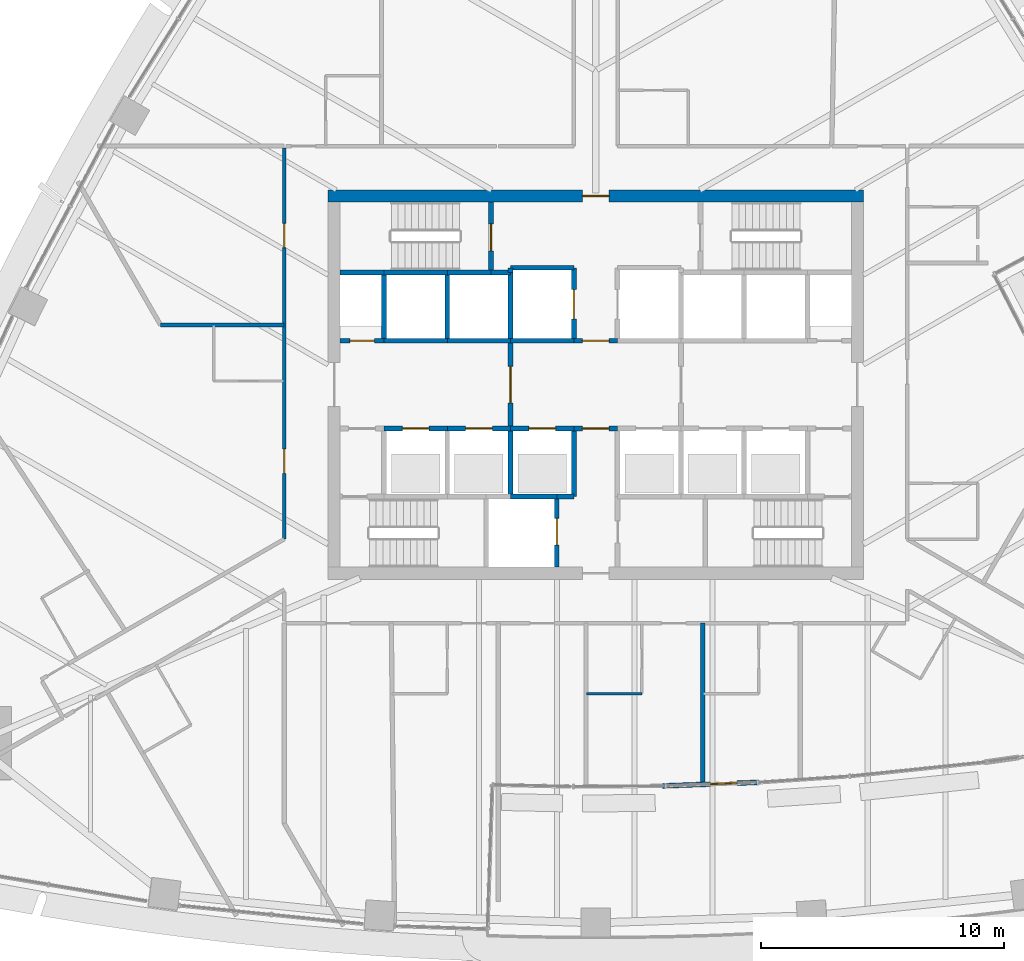
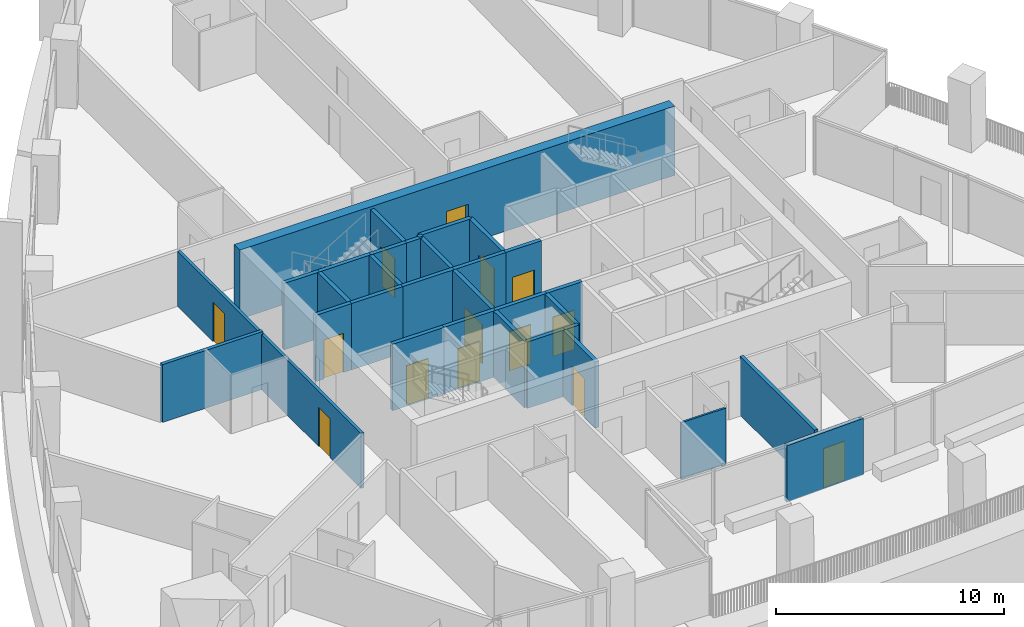
# One storey, part 12 of 22: 32 walls, 14 doors, 14 openings.
"""IFC4 building model written with IfcOpenShell, lengths in metres."""

from ifc_helpers import new_model, si_unit, direction, frame, frame_2d, origin, place, context, subcontext, project, spatial, rectangle, extrude, material, layer, layer_set, type_object, element, fill, save


model = new_model("IFC4")

# Units and contexts
model_context = context("Model", 3, precision=1e-05, world=origin(), true_north=direction((0.0, 1.0)))
body_context = subcontext(model_context, "Body", "Model", "MODEL_VIEW")
ifc_project = project(units=[si_unit("LENGTHUNIT", "METRE"), si_unit("AREAUNIT", "SQUARE_METRE"), si_unit("VOLUMEUNIT", "CUBIC_METRE"), si_unit("PLANEANGLEUNIT", "RADIAN"), si_unit("MASSUNIT", "GRAM", prefix="KILO")], contexts=[model_context])

# Site, building, storey
site_placement = place(None, origin())
site = spatial("IfcSite", under=ifc_project, at=site_placement, CompositionType="ELEMENT")
building_placement = place(site_placement, origin())
building = spatial("IfcBuilding", under=site, at=building_placement, Name="Sierra Prisma Convention Tower", CompositionType="ELEMENT")
storey_placement = place(building_placement, frame((0.0, 0.0, 103.5)))
storey = spatial("IfcBuildingStorey", under=building, at=storey_placement, Name="L22", CompositionType="ELEMENT", Elevation=103.5)

# Wall
ifc_material_1 = material(Name="Gypsum board partition", Category="gypsum")
ifc_layer_1 = layer(ifc_material_1, 0.10009765625)
ifc_layer_set_1 = layer_set([ifc_layer_1], Name="Bathroom partition 100")
wall_type_1 = type_object("IfcWallType", Name="Bathroom partition 100", PredefinedType="PARTITIONING", material=ifc_layer_set_1)
wall_1_placement = place(storey_placement, frame((1.89990234375, -12.699951171875, 0.0), z_axis=(0.0, 0.0, 1.0), x_axis=(-1.0, 0.0, 0.0)))
element("IfcWall", 1, at=wall_1_placement, inside=storey, type_object=wall_type_1, Name="Partition L22 bath 15", PredefinedType="PARTITIONING", context=body_context, shape_type="SweptSolid", body=[
    extrude(rectangle(XDim=2.27001953125, YDim=0.10009765625, at=frame_2d((1.135009765625, 0.0))), origin(), (0.0, 0.0, 1.0), 3.01708984375),
])

# Wall, opening, door
ifc_material_2 = material(Name="Concrete C30/37", Category="concrete")
ifc_layer_2 = layer(ifc_material_2, 0.199951171875)
ifc_layer_set_2 = layer_set([ifc_layer_2], Name="Core wall RC 200 C30/37")
wall_type_2 = type_object("IfcWallType", Name="Core wall RC 200 C30/37", PredefinedType="SOLIDWALL", material=ifc_layer_set_2)
wall_2_placement = place(storey_placement, frame((-8.699951171875, 1.800048828125, 0.0), z_axis=(0.0, 0.0, 1.0), x_axis=(-1.0, 0.0, 0.0)))
wall_2 = element("IfcWall", 2, at=wall_2_placement, inside=storey, type_object=wall_type_2, Name="Core wall L22 3", PredefinedType="SOLIDWALL", context=body_context, shape_type="SweptSolid", body=[
    extrude(rectangle(XDim=1.800048828125, YDim=0.199951171875, at=frame_2d((0.89990234375, 0.0))), origin(), (0.0, 0.0, 1.0), 3.550048828125),
])
opening_1_placement = place(wall_2_placement, frame((0.39990234375, 0.0, 0.0)))
opening_1 = element("IfcOpeningElement", 3, at=opening_1_placement, cuts=wall_2, Name="Opening L22-D031", PredefinedType="OPENING", context=body_context, shape_type="SweptSolid", body=[
    extrude(rectangle(XDim=1.0, YDim=2.10009765625, at=frame_2d((0.5, 1.050048828125))), frame((0.0, 0.10009765625, 0.0), z_axis=(0.0, -1.0, 0.0), x_axis=(1.0, 0.0, 0.0)), (0.0, 0.0, 1.0), 0.199951171875),
])
ifc_material_3 = material(Name="Steel fire door leaf", Category="steel")
door_type_1 = type_object("IfcDoorType", Name="Door 1000x2100 FD60S", OperationType="SINGLE_SWING_LEFT", PredefinedType="DOOR", material=ifc_material_3)
door_1_placement = place(opening_1_placement, origin())
door_1 = element("IfcDoor", 4, at=door_1_placement, inside=storey, type_object=door_type_1, Name="Door L22 46", OperationType="SINGLE_SWING_LEFT", OverallHeight=2.10009765625, OverallWidth=1.0, PredefinedType="DOOR", context=body_context, shape_type="SweptSolid", body=[
    extrude(rectangle(XDim=1.0, YDim=2.10009765625, at=frame_2d((0.5, 1.050048828125))), frame((0.0, 0.02490234375, 0.0), z_axis=(0.0, -1.0, 0.0), x_axis=(1.0, 0.0, 0.0)), (0.0, 0.0, 1.0), 0.050048828125),
])
fill(opening_1, door_1)

# Wall
wall_3_placement = place(storey_placement, frame((-8.699951171875, 4.60009765625, 0.0), z_axis=(0.0, 0.0, 1.0), x_axis=(-1.0, 0.0, 0.0)))
element("IfcWall", 5, at=wall_3_placement, inside=storey, type_object=wall_type_2, Name="Core wall L22 4", PredefinedType="SOLIDWALL", context=body_context, shape_type="SweptSolid", body=[
    extrude(rectangle(XDim=1.800048828125, YDim=0.199951171875, at=frame_2d((0.89990234375, 0.0))), origin(), (0.0, 0.0, 1.0), 3.550048828125),
])

# Wall, opening, door
wall_4_placement = place(storey_placement, frame((-8.699951171875, -1.800048828125, 0.0), z_axis=(0.0, 0.0, 1.0), x_axis=(1.0, 0.0, 0.0)))
wall_4 = element("IfcWall", 6, at=wall_4_placement, inside=storey, type_object=wall_type_2, Name="Core wall L22 7", PredefinedType="SOLIDWALL", context=body_context, shape_type="SweptSolid", body=[
    extrude(rectangle(XDim=2.599853515625, YDim=0.199951171875, at=frame_2d((1.2998046875, 0.0))), origin(), (0.0, 0.0, 1.0), 3.550048828125),
])
opening_2_placement = place(wall_4_placement, frame((0.75, 0.0, 0.0)))
opening_2 = element("IfcOpeningElement", 7, at=opening_2_placement, cuts=wall_4, Name="Opening L22-D016", PredefinedType="OPENING", context=body_context, shape_type="SweptSolid", body=[
    extrude(rectangle(XDim=1.10009765625, YDim=2.10009765625, at=frame_2d((0.550048828125, 1.050048828125))), frame((0.0, 0.10009765625, 0.0), z_axis=(0.0, -1.0, 0.0), x_axis=(1.0, 0.0, 0.0)), (0.0, 0.0, 1.0), 0.199951171875),
])
ifc_material_4 = material(Name="Steel fire door leaf", Category="steel")
door_type_2 = type_object("IfcDoorType", Name="Door 1100x2100 EI 90 sliding lift landing", OperationType="SLIDING_TO_LEFT", PredefinedType="DOOR", material=ifc_material_4)
door_2_placement = place(opening_2_placement, origin())
door_2 = element("IfcDoor", 8, at=door_2_placement, inside=storey, type_object=door_type_2, Name="Door L22 31", OperationType="SLIDING_TO_RIGHT", OverallHeight=2.10009765625, OverallWidth=1.10009765625, PredefinedType="DOOR", context=body_context, shape_type="SweptSolid", body=[
    extrude(rectangle(XDim=1.10009765625, YDim=2.10009765625, at=frame_2d((0.550048828125, 1.050048828125))), frame((0.0, 0.02490234375, 0.0), z_axis=(0.0, -1.0, 0.0), x_axis=(1.0, 0.0, 0.0)), (0.0, 0.0, 1.0), 0.050048828125),
])
fill(opening_2, door_2)

# Walls
wall_5_placement = place(storey_placement, frame((-6.10009765625, 1.800048828125, 0.0), z_axis=(0.0, 0.0, 1.0), x_axis=(-1.0, 0.0, 0.0)))
element("IfcWall", 9, at=wall_5_placement, inside=storey, type_object=wall_type_2, Name="Core wall L22 8", PredefinedType="SOLIDWALL", context=body_context, shape_type="SweptSolid", body=[
    extrude(rectangle(XDim=2.599853515625, YDim=0.199951171875, at=frame_2d((1.2998046875, 0.0))), origin(), (0.0, 0.0, 1.0), 3.550048828125),
])
wall_6_placement = place(storey_placement, frame((-8.699951171875, 1.800048828125, 0.0), z_axis=(0.0, 0.0, 1.0), x_axis=(0.0, 1.0, 0.0)))
element("IfcWall", 10, at=wall_6_placement, inside=storey, type_object=wall_type_2, Name="Core wall L22 9", PredefinedType="SOLIDWALL", context=body_context, shape_type="SweptSolid", body=[
    extrude(rectangle(XDim=2.800048828125, YDim=0.199951171875, at=frame_2d((1.39990234375, 0.0))), origin(), (0.0, 0.0, 1.0), 3.550048828125),
])
wall_7_placement = place(storey_placement, frame((-6.10009765625, 4.60009765625, 0.0), z_axis=(0.0, 0.0, 1.0), x_axis=(-1.0, 0.0, 0.0)))
element("IfcWall", 11, at=wall_7_placement, inside=storey, type_object=wall_type_2, Name="Core wall L22 10", PredefinedType="SOLIDWALL", context=body_context, shape_type="SweptSolid", body=[
    extrude(rectangle(XDim=2.599853515625, YDim=0.199951171875, at=frame_2d((1.2998046875, 0.0))), origin(), (0.0, 0.0, 1.0), 3.550048828125),
])

# Wall, opening, door
wall_8_placement = place(storey_placement, frame((-6.10009765625, -1.800048828125, 0.0), z_axis=(0.0, 0.0, 1.0), x_axis=(1.0, 0.0, 0.0)))
wall_8 = element("IfcWall", 12, at=wall_8_placement, inside=storey, type_object=wall_type_2, Name="Core wall L22 13", PredefinedType="SOLIDWALL", context=body_context, shape_type="SweptSolid", body=[
    extrude(rectangle(XDim=2.60009765625, YDim=0.199951171875, at=frame_2d((1.300048828125, 0.0))), origin(), (0.0, 0.0, 1.0), 3.550048828125),
])
opening_3_placement = place(wall_8_placement, frame((0.75, 0.0, 0.0)))
opening_3 = element("IfcOpeningElement", 13, at=opening_3_placement, cuts=wall_8, Name="Opening L22-D017", PredefinedType="OPENING", context=body_context, shape_type="SweptSolid", body=[
    extrude(rectangle(XDim=1.10009765625, YDim=2.10009765625, at=frame_2d((0.550048828125, 1.050048828125))), frame((0.0, 0.10009765625, 0.0), z_axis=(0.0, -1.0, 0.0), x_axis=(1.0, 0.0, 0.0)), (0.0, 0.0, 1.0), 0.199951171875),
])
door_3_placement = place(opening_3_placement, origin())
door_3 = element("IfcDoor", 14, at=door_3_placement, inside=storey, type_object=door_type_2, Name="Door L22 32", OperationType="SLIDING_TO_RIGHT", OverallHeight=2.10009765625, OverallWidth=1.10009765625, PredefinedType="DOOR", context=body_context, shape_type="SweptSolid", body=[
    extrude(rectangle(XDim=1.10009765625, YDim=2.10009765625, at=frame_2d((0.550048828125, 1.050048828125))), frame((0.0, 0.02490234375, 0.0), z_axis=(0.0, -1.0, 0.0), x_axis=(1.0, 0.0, 0.0)), (0.0, 0.0, 1.0), 0.050048828125),
])
fill(opening_3, door_3)

# Walls
wall_9_placement = place(storey_placement, frame((-3.5, 1.800048828125, 0.0), z_axis=(0.0, 0.0, 1.0), x_axis=(-1.0, 0.0, 0.0)))
element("IfcWall", 15, at=wall_9_placement, inside=storey, type_object=wall_type_2, Name="Core wall L22 14", PredefinedType="SOLIDWALL", context=body_context, shape_type="SweptSolid", body=[
    extrude(rectangle(XDim=2.60009765625, YDim=0.199951171875, at=frame_2d((1.300048828125, 0.0))), origin(), (0.0, 0.0, 1.0), 3.550048828125),
])
wall_10_placement = place(storey_placement, frame((-6.10009765625, 1.800048828125, 0.0), z_axis=(0.0, 0.0, 1.0), x_axis=(0.0, 1.0, 0.0)))
element("IfcWall", 16, at=wall_10_placement, inside=storey, type_object=wall_type_2, Name="Core wall L22 15", PredefinedType="SOLIDWALL", context=body_context, shape_type="SweptSolid", body=[
    extrude(rectangle(XDim=2.800048828125, YDim=0.199951171875, at=frame_2d((1.39990234375, 0.0))), origin(), (0.0, 0.0, 1.0), 3.550048828125),
])
wall_11_placement = place(storey_placement, frame((-4.300048828125, 4.60009765625, 0.0), z_axis=(0.0, 0.0, 1.0), x_axis=(-1.0, 0.0, 0.0)))
element("IfcWall", 17, at=wall_11_placement, inside=storey, type_object=wall_type_2, Name="Core wall L22 16", PredefinedType="SOLIDWALL", context=body_context, shape_type="SweptSolid", body=[
    extrude(rectangle(XDim=1.800048828125, YDim=0.199951171875, at=frame_2d((0.89990234375, 0.0))), origin(), (0.0, 0.0, 1.0), 3.550048828125),
])
wall_12_placement = place(storey_placement, frame((-3.5, 4.60009765625, 0.0), z_axis=(0.0, 0.0, 1.0), x_axis=(-1.0, 0.0, 0.0)))
element("IfcWall", 18, at=wall_12_placement, inside=storey, type_object=wall_type_2, Name="Core wall L22 19", PredefinedType="SOLIDWALL", context=body_context, shape_type="SweptSolid", body=[
    extrude(rectangle(XDim=0.800048828125, YDim=0.199951171875, at=frame_2d((0.39990234375, 0.0))), origin(), (0.0, 0.0, 1.0), 3.550048828125),
])

# Wall, opening, door
wall_13_placement = place(storey_placement, frame((-4.300048828125, 4.60009765625, 0.0), z_axis=(0.0, 0.0, 1.0), x_axis=(0.0, 1.0, 0.0)))
wall_13 = element("IfcWall", 19, at=wall_13_placement, inside=storey, type_object=wall_type_2, Name="Core wall L22 20", PredefinedType="SOLIDWALL", context=body_context, shape_type="SweptSolid", body=[
    extrude(rectangle(XDim=2.89990234375, YDim=0.199951171875, at=frame_2d((1.449951171875, 0.0))), origin(), (0.0, 0.0, 1.0), 3.550048828125),
])
opening_4_placement = place(wall_13_placement, frame((0.89990234375, 0.0, 0.0)))
opening_4 = element("IfcOpeningElement", 20, at=opening_4_placement, cuts=wall_13, Name="Opening L22-D035", PredefinedType="OPENING", context=body_context, shape_type="SweptSolid", body=[
    extrude(rectangle(XDim=1.10009765625, YDim=2.10009765625, at=frame_2d((0.550048828125, 1.050048828125))), frame((0.0, 0.10009765625, 0.0), z_axis=(0.0, -1.0, 0.0), x_axis=(1.0, 0.0, 0.0)), (0.0, 0.0, 1.0), 0.199951171875),
])
ifc_material_5 = material(Name="Steel fire door leaf", Category="steel")
door_type_3 = type_object("IfcDoorType", Name="Door 1100x2100 FD90S", OperationType="SINGLE_SWING_LEFT", PredefinedType="DOOR", material=ifc_material_5)
door_4_placement = place(opening_4_placement, origin())
door_4 = element("IfcDoor", 21, at=door_4_placement, inside=storey, type_object=door_type_3, Name="Door L22 50", OperationType="SINGLE_SWING_RIGHT", OverallHeight=2.10009765625, OverallWidth=1.10009765625, PredefinedType="DOOR", context=body_context, shape_type="SweptSolid", body=[
    extrude(rectangle(XDim=1.10009765625, YDim=2.10009765625, at=frame_2d((0.550048828125, 1.050048828125))), frame((0.0, 0.02490234375, 0.0), z_axis=(0.0, -1.0, 0.0), x_axis=(1.0, 0.0, 0.0)), (0.0, 0.0, 1.0), 0.050048828125),
])
fill(opening_4, door_4)

# Walls
wall_14_placement = place(storey_placement, frame((-3.5, -4.60009765625, 0.0), z_axis=(0.0, 0.0, 1.0), x_axis=(1.0, 0.0, 0.0)))
element("IfcWall", 22, at=wall_14_placement, inside=storey, type_object=wall_type_2, Name="Core wall L22 21", PredefinedType="SOLIDWALL", context=body_context, shape_type="SweptSolid", body=[
    extrude(rectangle(XDim=1.89990234375, YDim=0.199951171875, at=frame_2d((0.949951171875, 0.0))), origin(), (0.0, 0.0, 1.0), 3.550048828125),
])
wall_15_placement = place(storey_placement, frame((-3.5, -4.60009765625, 0.0), z_axis=(0.0, 0.0, 1.0), x_axis=(0.0, 1.0, 0.0)))
element("IfcWall", 23, at=wall_15_placement, inside=storey, type_object=wall_type_2, Name="Core wall L22 22", PredefinedType="SOLIDWALL", context=body_context, shape_type="SweptSolid", body=[
    extrude(rectangle(XDim=2.800048828125, YDim=0.199951171875, at=frame_2d((1.39990234375, 0.0))), origin(), (0.0, 0.0, 1.0), 3.550048828125),
])

# Wall, opening, door
wall_16_placement = place(storey_placement, frame((-3.5, -1.800048828125, 0.0), z_axis=(0.0, 0.0, 1.0), x_axis=(1.0, 0.0, 0.0)))
wall_16 = element("IfcWall", 24, at=wall_16_placement, inside=storey, type_object=wall_type_2, Name="Core wall L22 23", PredefinedType="SOLIDWALL", context=body_context, shape_type="SweptSolid", body=[
    extrude(rectangle(XDim=2.60009765625, YDim=0.199951171875, at=frame_2d((1.300048828125, 0.0))), origin(), (0.0, 0.0, 1.0), 3.550048828125),
])
opening_5_placement = place(wall_16_placement, frame((0.75, 0.0, 0.0)))
opening_5 = element("IfcOpeningElement", 25, at=opening_5_placement, cuts=wall_16, Name="Opening L22-D018", PredefinedType="OPENING", context=body_context, shape_type="SweptSolid", body=[
    extrude(rectangle(XDim=1.10009765625, YDim=2.10009765625, at=frame_2d((0.550048828125, 1.050048828125))), frame((0.0, 0.10009765625, 0.0), z_axis=(0.0, -1.0, 0.0), x_axis=(1.0, 0.0, 0.0)), (0.0, 0.0, 1.0), 0.199951171875),
])
door_5_placement = place(opening_5_placement, origin())
door_5 = element("IfcDoor", 26, at=door_5_placement, inside=storey, type_object=door_type_2, Name="Door L22 33", OperationType="SLIDING_TO_RIGHT", OverallHeight=2.10009765625, OverallWidth=1.10009765625, PredefinedType="DOOR", context=body_context, shape_type="SweptSolid", body=[
    extrude(rectangle(XDim=1.10009765625, YDim=2.10009765625, at=frame_2d((0.550048828125, 1.050048828125))), frame((0.0, 0.02490234375, 0.0), z_axis=(0.0, -1.0, 0.0), x_axis=(1.0, 0.0, 0.0)), (0.0, 0.0, 1.0), 0.050048828125),
])
fill(opening_5, door_5)

wall_17_placement = place(storey_placement, frame((-3.5, 1.800048828125, 0.0), z_axis=(0.0, 0.0, 1.0), x_axis=(0.0, -1.0, 0.0)))
wall_17 = element("IfcWall", 27, at=wall_17_placement, inside=storey, type_object=wall_type_2, Name="Core wall L22 24", PredefinedType="SOLIDWALL", context=body_context, shape_type="SweptSolid", body=[
    extrude(rectangle(XDim=3.60009765625, YDim=0.199951171875, at=frame_2d((1.800048828125, 0.0))), origin(), (0.0, 0.0, 1.0), 3.550048828125),
])
opening_6_placement = place(wall_17_placement, frame((1.050048828125, 0.0, 0.0)))
opening_6 = element("IfcOpeningElement", 28, at=opening_6_placement, cuts=wall_17, Name="Opening L22-D025", PredefinedType="OPENING", context=body_context, shape_type="SweptSolid", body=[
    extrude(rectangle(XDim=1.5, YDim=2.10009765625, at=frame_2d((0.75, 1.050048828125))), frame((0.0, 0.10009765625, 0.0), z_axis=(0.0, -1.0, 0.0), x_axis=(1.0, 0.0, 0.0)), (0.0, 0.0, 1.0), 0.199951171875),
])
ifc_material_6 = material(Name="Steel fire door leaf", Category="steel")
door_type_4 = type_object("IfcDoorType", Name="Door 1500x2100 FD30S", OperationType="DOUBLE_DOOR_SINGLE_SWING", PredefinedType="DOOR", material=ifc_material_6)
door_6_placement = place(opening_6_placement, origin())
door_6 = element("IfcDoor", 29, at=door_6_placement, inside=storey, type_object=door_type_4, Name="Door L22 40", OperationType="DOUBLE_DOOR_SINGLE_SWING", OverallHeight=2.10009765625, OverallWidth=1.5, PredefinedType="DOOR", context=body_context, shape_type="SweptSolid", body=[
    extrude(rectangle(XDim=1.5, YDim=2.10009765625, at=frame_2d((0.75, 1.050048828125))), frame((0.0, 0.02490234375, 0.0), z_axis=(0.0, -1.0, 0.0), x_axis=(1.0, 0.0, 0.0)), (0.0, 0.0, 1.0), 0.050048828125),
])
fill(opening_6, door_6)

# Walls
wall_18_placement = place(storey_placement, frame((-0.89990234375, 1.800048828125, 0.0), z_axis=(0.0, 0.0, 1.0), x_axis=(-1.0, 0.0, 0.0)))
element("IfcWall", 30, at=wall_18_placement, inside=storey, type_object=wall_type_2, Name="Core wall L22 25", PredefinedType="SOLIDWALL", context=body_context, shape_type="SweptSolid", body=[
    extrude(rectangle(XDim=2.60009765625, YDim=0.199951171875, at=frame_2d((1.300048828125, 0.0))), origin(), (0.0, 0.0, 1.0), 3.550048828125),
])
wall_19_placement = place(storey_placement, frame((-3.5, 4.60009765625, 0.0), z_axis=(0.0, 0.0, 1.0), x_axis=(0.0, -1.0, 0.0)))
element("IfcWall", 31, at=wall_19_placement, inside=storey, type_object=wall_type_2, Name="Core wall L22 26", PredefinedType="SOLIDWALL", context=body_context, shape_type="SweptSolid", body=[
    extrude(rectangle(XDim=2.800048828125, YDim=0.199951171875, at=frame_2d((1.39990234375, 0.0))), origin(), (0.0, 0.0, 1.0), 3.550048828125),
])

# Wall, opening, door
wall_20_placement = place(storey_placement, frame((-0.89990234375, 1.800048828125, 0.0), z_axis=(0.0, 0.0, 1.0), x_axis=(0.0, 1.0, 0.0)))
wall_20 = element("IfcWall", 32, at=wall_20_placement, inside=storey, type_object=wall_type_2, Name="Core wall L22 27", PredefinedType="SOLIDWALL", context=body_context, shape_type="SweptSolid", body=[
    extrude(rectangle(XDim=3.0, YDim=0.199951171875, at=frame_2d((1.5, 0.0))), origin(), (0.0, 0.0, 1.0), 3.550048828125),
])
opening_7_placement = place(wall_20_placement, frame((0.89990234375, 0.0, 0.0)))
opening_7 = element("IfcOpeningElement", 33, at=opening_7_placement, cuts=wall_20, Name="Opening L22-D022", PredefinedType="OPENING", context=body_context, shape_type="SweptSolid", body=[
    extrude(rectangle(XDim=1.199951171875, YDim=2.10009765625, at=frame_2d((0.60009765625, 1.050048828125))), frame((0.0, 0.10009765625, 0.0), z_axis=(0.0, -1.0, 0.0), x_axis=(1.0, 0.0, 0.0)), (0.0, 0.0, 1.0), 0.199951171875),
])
ifc_material_7 = material(Name="Steel fire door leaf", Category="steel")
door_type_5 = type_object("IfcDoorType", Name="Door 1200x2100 EI 90 sliding lift landing", OperationType="SLIDING_TO_LEFT", PredefinedType="DOOR", material=ifc_material_7)
door_7_placement = place(opening_7_placement, origin())
door_7 = element("IfcDoor", 34, at=door_7_placement, inside=storey, type_object=door_type_5, Name="Door L22 37", OperationType="SLIDING_TO_RIGHT", OverallHeight=2.10009765625, OverallWidth=1.199951171875, PredefinedType="DOOR", context=body_context, shape_type="SweptSolid", body=[
    extrude(rectangle(XDim=1.199951171875, YDim=2.10009765625, at=frame_2d((0.60009765625, 1.050048828125))), frame((0.0, 0.02490234375, 0.0), z_axis=(0.0, -1.0, 0.0), x_axis=(1.0, 0.0, 0.0)), (0.0, 0.0, 1.0), 0.050048828125),
])
fill(opening_7, door_7)

# Walls
wall_21_placement = place(storey_placement, frame((-0.89990234375, 4.800048828125, 0.0), z_axis=(0.0, 0.0, 1.0), x_axis=(-1.0, 0.0, 0.0)))
element("IfcWall", 35, at=wall_21_placement, inside=storey, type_object=wall_type_2, Name="Core wall L22 28", PredefinedType="SOLIDWALL", context=body_context, shape_type="SweptSolid", body=[
    extrude(rectangle(XDim=2.60009765625, YDim=0.199951171875, at=frame_2d((1.300048828125, 0.0))), origin(), (0.0, 0.0, 1.0), 3.550048828125),
])
wall_22_placement = place(storey_placement, frame((-3.5, 4.800048828125, 0.0), z_axis=(0.0, 0.0, 1.0), x_axis=(0.0, -1.0, 0.0)))
element("IfcWall", 36, at=wall_22_placement, inside=storey, type_object=wall_type_2, Name="Core wall L22 29", PredefinedType="SOLIDWALL", context=body_context, shape_type="SweptSolid", body=[
    extrude(rectangle(XDim=0.199951171875, YDim=0.199951171875, at=frame_2d((0.10009765625, 0.0))), origin(), (0.0, 0.0, 1.0), 3.550048828125),
])

# Wall, opening, door
wall_23_placement = place(storey_placement, frame((-1.60009765625, -7.5, 0.0), z_axis=(0.0, 0.0, 1.0), x_axis=(0.0, 1.0, 0.0)))
wall_23 = element("IfcWall", 37, at=wall_23_placement, inside=storey, type_object=wall_type_2, Name="Core wall L22 30", PredefinedType="SOLIDWALL", context=body_context, shape_type="SweptSolid", body=[
    extrude(rectangle(XDim=2.89990234375, YDim=0.199951171875, at=frame_2d((1.449951171875, 0.0))), origin(), (0.0, 0.0, 1.0), 3.550048828125),
])
opening_8_placement = place(wall_23_placement, frame((0.89990234375, 0.0, 0.0)))
opening_8 = element("IfcOpeningElement", 38, at=opening_8_placement, cuts=wall_23, Name="Opening L22-D024", PredefinedType="OPENING", context=body_context, shape_type="SweptSolid", body=[
    extrude(rectangle(XDim=1.10009765625, YDim=2.10009765625, at=frame_2d((0.550048828125, 1.050048828125))), frame((0.0, 0.10009765625, 0.0), z_axis=(0.0, -1.0, 0.0), x_axis=(1.0, 0.0, 0.0)), (0.0, 0.0, 1.0), 0.199951171875),
])
door_8_placement = place(opening_8_placement, origin())
door_8 = element("IfcDoor", 39, at=door_8_placement, inside=storey, type_object=door_type_2, Name="Door L22 39", OperationType="SLIDING_TO_RIGHT", OverallHeight=2.10009765625, OverallWidth=1.10009765625, PredefinedType="DOOR", context=body_context, shape_type="SweptSolid", body=[
    extrude(rectangle(XDim=1.10009765625, YDim=2.10009765625, at=frame_2d((0.550048828125, 1.050048828125))), frame((0.0, 0.02490234375, 0.0), z_axis=(0.0, -1.0, 0.0), x_axis=(1.0, 0.0, 0.0)), (0.0, 0.0, 1.0), 0.050048828125),
])
fill(opening_8, door_8)

# Walls
wall_24_placement = place(storey_placement, frame((-1.60009765625, -4.60009765625, 0.0), z_axis=(0.0, 0.0, 1.0), x_axis=(1.0, 0.0, 0.0)))
element("IfcWall", 40, at=wall_24_placement, inside=storey, type_object=wall_type_2, Name="Core wall L22 31", PredefinedType="SOLIDWALL", context=body_context, shape_type="SweptSolid", body=[
    extrude(rectangle(XDim=0.7001953125, YDim=0.199951171875, at=frame_2d((0.35009765625, 0.0))), origin(), (0.0, 0.0, 1.0), 3.550048828125),
])
wall_25_placement = place(storey_placement, frame((-0.89990234375, -4.60009765625, 0.0), z_axis=(0.0, 0.0, 1.0), x_axis=(0.0, 1.0, 0.0)))
element("IfcWall", 41, at=wall_25_placement, inside=storey, type_object=wall_type_2, Name="Core wall L22 32", PredefinedType="SOLIDWALL", context=body_context, shape_type="SweptSolid", body=[
    extrude(rectangle(XDim=2.800048828125, YDim=0.199951171875, at=frame_2d((1.39990234375, 0.0))), origin(), (0.0, 0.0, 1.0), 3.550048828125),
])

# Wall, opening, door
wall_26_placement = place(storey_placement, frame((-0.89990234375, -1.800048828125, 0.0), z_axis=(0.0, 0.0, 1.0), x_axis=(1.0, 0.0, 0.0)))
wall_26 = element("IfcWall", 42, at=wall_26_placement, inside=storey, type_object=wall_type_2, Name="Core wall L22 33", PredefinedType="SOLIDWALL", context=body_context, shape_type="SweptSolid", body=[
    extrude(rectangle(XDim=1.7998046875, YDim=0.199951171875, at=frame_2d((0.89990234375, 0.0))), origin(), (0.0, 0.0, 1.0), 3.550048828125),
])
opening_9_placement = place(wall_26_placement, frame((0.35009765625, 0.0, 0.0)))
opening_9 = element("IfcOpeningElement", 43, at=opening_9_placement, cuts=wall_26, Name="Opening L22-D030", PredefinedType="OPENING", context=body_context, shape_type="SweptSolid", body=[
    extrude(rectangle(XDim=1.10009765625, YDim=2.10009765625, at=frame_2d((0.550048828125, 1.050048828125))), frame((0.0, 0.10009765625, 0.0), z_axis=(0.0, -1.0, 0.0), x_axis=(1.0, 0.0, 0.0)), (0.0, 0.0, 1.0), 0.199951171875),
])
ifc_material_8 = material(Name="Steel fire door leaf", Category="steel")
door_type_6 = type_object("IfcDoorType", Name="Door 1100x2100 FD30S", OperationType="SINGLE_SWING_LEFT", PredefinedType="DOOR", material=ifc_material_8)
door_9_placement = place(opening_9_placement, origin())
door_9 = element("IfcDoor", 44, at=door_9_placement, inside=storey, type_object=door_type_6, Name="Door L22 45", OperationType="SINGLE_SWING_RIGHT", OverallHeight=2.10009765625, OverallWidth=1.10009765625, PredefinedType="DOOR", context=body_context, shape_type="SweptSolid", body=[
    extrude(rectangle(XDim=1.10009765625, YDim=2.10009765625, at=frame_2d((0.550048828125, 1.050048828125))), frame((0.0, 0.02490234375, 0.0), z_axis=(0.0, -1.0, 0.0), x_axis=(1.0, 0.0, 0.0)), (0.0, 0.0, 1.0), 0.050048828125),
])
fill(opening_9, door_9)

wall_27_placement = place(storey_placement, frame((0.89990234375, 1.800048828125, 0.0), z_axis=(0.0, 0.0, 1.0), x_axis=(-1.0, 0.0, 0.0)))
wall_27 = element("IfcWall", 45, at=wall_27_placement, inside=storey, type_object=wall_type_2, Name="Core wall L22 34", PredefinedType="SOLIDWALL", context=body_context, shape_type="SweptSolid", body=[
    extrude(rectangle(XDim=1.7998046875, YDim=0.199951171875, at=frame_2d((0.89990234375, 0.0))), origin(), (0.0, 0.0, 1.0), 3.550048828125),
])
opening_10_placement = place(wall_27_placement, frame((0.35009765625, 0.0, 0.0)))
opening_10 = element("IfcOpeningElement", 46, at=opening_10_placement, cuts=wall_27, Name="Opening L22-D029", PredefinedType="OPENING", context=body_context, shape_type="SweptSolid", body=[
    extrude(rectangle(XDim=1.10009765625, YDim=2.10009765625, at=frame_2d((0.550048828125, 1.050048828125))), frame((0.0, 0.10009765625, 0.0), z_axis=(0.0, -1.0, 0.0), x_axis=(1.0, 0.0, 0.0)), (0.0, 0.0, 1.0), 0.199951171875),
])
ifc_material_9 = material(Name="Steel fire door leaf", Category="steel")
door_type_7 = type_object("IfcDoorType", Name="Door 1100x2100 FD60S", OperationType="SINGLE_SWING_LEFT", PredefinedType="DOOR", material=ifc_material_9)
door_10_placement = place(opening_10_placement, origin())
door_10 = element("IfcDoor", 47, at=door_10_placement, inside=storey, type_object=door_type_7, Name="Door L22 44", OperationType="SINGLE_SWING_LEFT", OverallHeight=2.10009765625, OverallWidth=1.10009765625, PredefinedType="DOOR", context=body_context, shape_type="SweptSolid", body=[
    extrude(rectangle(XDim=1.10009765625, YDim=2.10009765625, at=frame_2d((0.550048828125, 1.050048828125))), frame((0.0, 0.02490234375, 0.0), z_axis=(0.0, -1.0, 0.0), x_axis=(1.0, 0.0, 0.0)), (0.0, 0.0, 1.0), 0.050048828125),
])
fill(opening_10, door_10)

ifc_material_10 = material(Name="Concrete C60/75", Category="concrete")
ifc_layer_3 = layer(ifc_material_10, 0.5)
ifc_layer_set_3 = layer_set([ifc_layer_3], Name="Core wall RC 500 C60/75")
wall_type_3 = type_object("IfcWallType", Name="Core wall RC 500 C60/75", PredefinedType="SHEAR", material=ifc_layer_set_3)
wall_28_placement = place(storey_placement, frame((-11.0, 7.75, 0.0), z_axis=(0.0, 0.0, 1.0), x_axis=(1.0, 0.0, 0.0)))
wall_28 = element("IfcWall", 48, at=wall_28_placement, inside=storey, type_object=wall_type_3, Name="Core wall N L22", PredefinedType="SHEAR", context=body_context, shape_type="SweptSolid", body=[
    extrude(rectangle(XDim=22.0, YDim=0.5, at=frame_2d((11.0, 0.0))), origin(), (0.0, 0.0, 1.0), 3.699951171875),
])
opening_11_placement = place(wall_28_placement, frame((10.449951171875, 0.0, 0.0)))
opening_11 = element("IfcOpeningElement", 49, at=opening_11_placement, cuts=wall_28, Name="Opening L22-D057", PredefinedType="OPENING", context=body_context, shape_type="SweptSolid", body=[
    extrude(rectangle(XDim=1.10009765625, YDim=2.10009765625, at=frame_2d((0.550048828125, 1.050048828125))), frame((0.0, 0.25, 0.0), z_axis=(0.0, -1.0, 0.0), x_axis=(1.0, 0.0, 0.0)), (0.0, 0.0, 1.0), 0.5),
])
door_11_placement = place(opening_11_placement, origin())
door_11 = element("IfcDoor", 50, at=door_11_placement, inside=storey, type_object=door_type_7, Name="Door L22 55", OperationType="SINGLE_SWING_RIGHT", OverallHeight=2.10009765625, OverallWidth=1.10009765625, PredefinedType="DOOR", context=body_context, shape_type="SweptSolid", body=[
    extrude(rectangle(XDim=1.10009765625, YDim=2.10009765625, at=frame_2d((0.550048828125, 1.050048828125))), frame((0.0, 0.02490234375, 0.0), z_axis=(0.0, -1.0, 0.0), x_axis=(1.0, 0.0, 0.0)), (0.0, 0.0, 1.0), 0.050048828125),
])
fill(opening_11, door_11)

# Wall, openings, doors
ifc_material_11 = material(Name="Gypsum board partition", Category="gypsum")
ifc_layer_4 = layer(ifc_material_11, 0.14990234375)
ifc_layer_set_4 = layer_set([ifc_layer_4], Name="Corridor wall 150 gypsum EI 60")
wall_type_4 = type_object("IfcWallType", Name="Corridor wall 150 gypsum EI 60", PredefinedType="PARTITIONING", material=ifc_layer_set_4)
wall_29_placement = place(storey_placement, frame((-12.800048828125, 9.719970703125, 0.0), z_axis=(0.0, 0.0, 1.0), x_axis=(0.0, -1.0, 0.0)))
wall_29 = element("IfcWall", 51, at=wall_29_placement, inside=storey, type_object=wall_type_4, Name="Partition L22 corr 5", PredefinedType="PARTITIONING", context=body_context, shape_type="SweptSolid", body=[
    extrude(rectangle(XDim=16.07080078125, YDim=0.14990234375, at=frame_2d((8.035400390625, 0.0))), origin(), (0.0, 0.0, 1.0), 2.947021484375),
])
opening_12_placement = place(wall_29_placement, frame((3.095458984375, 0.0, 0.0)))
opening_12 = element("IfcOpeningElement", 52, at=opening_12_placement, cuts=wall_29, Name="Opening L22-D043", PredefinedType="OPENING", context=body_context, shape_type="SweptSolid", body=[
    extrude(rectangle(XDim=1.0, YDim=2.10009765625, at=frame_2d((0.5, 1.050048828125))), frame((0.0, 0.074951171875, 0.0), z_axis=(0.0, -1.0, 0.0), x_axis=(1.0, 0.0, 0.0)), (0.0, 0.0, 1.0), 0.14990234375),
])
opening_13_placement = place(wall_29_placement, frame((12.370849609375, 0.0, 0.0)))
opening_13 = element("IfcOpeningElement", 53, at=opening_13_placement, cuts=wall_29, Name="Opening L22-D044", PredefinedType="OPENING", context=body_context, shape_type="SweptSolid", body=[
    extrude(rectangle(XDim=1.0, YDim=2.10009765625, at=frame_2d((0.5, 1.050048828125))), frame((0.0, 0.074951171875, 0.0), z_axis=(0.0, -1.0, 0.0), x_axis=(1.0, 0.0, 0.0)), (0.0, 0.0, 1.0), 0.14990234375),
])
ifc_material_12 = material(Name="Steel fire door leaf", Category="steel")
door_type_8 = type_object("IfcDoorType", Name="Door 1000x2100 FD30S", OperationType="SINGLE_SWING_LEFT", PredefinedType="DOOR", material=ifc_material_12)
door_12_placement = place(opening_12_placement, origin())
door_12 = element("IfcDoor", 54, at=door_12_placement, inside=storey, type_object=door_type_8, Name="Door L22 10", OperationType="SINGLE_SWING_LEFT", OverallHeight=2.10009765625, OverallWidth=1.0, PredefinedType="DOOR", context=body_context, shape_type="SweptSolid", body=[
    extrude(rectangle(XDim=1.0, YDim=2.10009765625, at=frame_2d((0.5, 1.050048828125))), frame((0.0, 0.02490234375, 0.0), z_axis=(0.0, -1.0, 0.0), x_axis=(1.0, 0.0, 0.0)), (0.0, 0.0, 1.0), 0.050048828125),
])
fill(opening_12, door_12)
door_13_placement = place(opening_13_placement, origin())
door_13 = element("IfcDoor", 55, at=door_13_placement, inside=storey, type_object=door_type_8, Name="Door L22 11", OperationType="SINGLE_SWING_RIGHT", OverallHeight=2.10009765625, OverallWidth=1.0, PredefinedType="DOOR", context=body_context, shape_type="SweptSolid", body=[
    extrude(rectangle(XDim=1.0, YDim=2.10009765625, at=frame_2d((0.5, 1.050048828125))), frame((0.0, 0.02490234375, 0.0), z_axis=(0.0, -1.0, 0.0), x_axis=(1.0, 0.0, 0.0)), (0.0, 0.0, 1.0), 0.050048828125),
])
fill(opening_13, door_13)

# Walls
ifc_material_13 = material(Name="Acoustic gypsum board partition", Category="gypsum")
ifc_layer_5 = layer(ifc_material_13, 0.175048828125)
ifc_layer_set_5 = layer_set([ifc_layer_5], Name="Guest room party wall 175 acoustic EI 60")
wall_type_5 = type_object("IfcWallType", Name="Guest room party wall 175 acoustic EI 60", PredefinedType="PARTITIONING", material=ifc_layer_set_5)
wall_30_placement = place(storey_placement, frame((-17.880615234375, 2.44921875, 0.0), z_axis=(0.0, 0.0, 1.0), x_axis=(1.0, 0.0, 0.0)))
element("IfcWall", 56, at=wall_30_placement, inside=storey, type_object=wall_type_5, Name="Partition L22 hparty 4", PredefinedType="PARTITIONING", context=body_context, shape_type="SweptSolid", body=[
    extrude(rectangle(XDim=5.08056640625, YDim=0.175048828125, at=frame_2d((2.540283203125, 0.0))), origin(), (0.0, 0.0, 1.0), 3.093017578125),
])
wall_31_placement = place(storey_placement, frame((4.39990234375, -9.800048828125, 0.0), z_axis=(0.0, 0.0, 1.0), x_axis=(0.0, -1.0, 0.0)))
element("IfcWall", 57, at=wall_31_placement, inside=storey, type_object=wall_type_5, Name="Partition L22 hparty 15", PredefinedType="PARTITIONING", context=body_context, shape_type="SweptSolid", body=[
    extrude(rectangle(XDim=6.5205078125, YDim=0.175048828125, at=frame_2d((3.26025390625, 0.0))), origin(), (0.0, 0.0, 1.0), 3.14990234375),
])

# Wall, opening, door
ifc_material_14 = material(Name="Precast concrete C40/50", Category="concrete")
ifc_layer_6 = layer(ifc_material_14, 0.199951171875)
ifc_layer_set_6 = layer_set([ifc_layer_6], Name="Terrace door pier")
wall_type_6 = type_object("IfcWallType", Name="Terrace door pier", PredefinedType="SOLIDWALL", material=ifc_layer_set_6)
wall_32_placement = place(storey_placement, frame((2.749755859375, -16.490234375, 0.0), z_axis=(0.0, 0.0, 1.0), x_axis=(0.999313230766, 0.037054916226, 0.0)))
wall_32 = element("IfcWall", 58, at=wall_32_placement, inside=storey, type_object=wall_type_6, Name="Terrace door bay L22.3", PredefinedType="SOLIDWALL", context=body_context, shape_type="SweptSolid", body=[
    extrude(rectangle(XDim=3.96630859375, YDim=0.199951171875, at=frame_2d((1.983154296875, 0.0))), origin(), (0.0, 0.0, 1.0), 3.01708984375),
])
opening_14_placement = place(wall_32_placement, frame((1.96044921875, 0.0, 0.0)))
opening_14 = element("IfcOpeningElement", 59, at=opening_14_placement, cuts=wall_32, Name="Opening L22-D001", PredefinedType="OPENING", context=body_context, shape_type="SweptSolid", body=[
    extrude(rectangle(XDim=1.10009765625, YDim=2.10009765625, at=frame_2d((0.550048828125, 1.050048828125))), frame((0.0, 0.10009765625, 0.0), z_axis=(0.0, -1.0, 0.0), x_axis=(1.0, 0.0, 0.0)), (0.0, 0.0, 1.0), 0.199951171875),
])
ifc_material_15 = material(Name="Bronze anodised aluminium and glass", Category="aluminium")
door_type_9 = type_object("IfcDoorType", Name="Terrace door 1100 x 2100", OperationType="SINGLE_SWING_LEFT", PredefinedType="DOOR", material=ifc_material_15)
door_14_placement = place(opening_14_placement, origin())
door_14 = element("IfcDoor", 60, at=door_14_placement, inside=storey, type_object=door_type_9, Name="Terrace door L22.3", OperationType="SINGLE_SWING_RIGHT", OverallHeight=2.10009765625, OverallWidth=1.10009765625, PredefinedType="DOOR", context=body_context, shape_type="SweptSolid", body=[
    extrude(rectangle(XDim=1.10009765625, YDim=2.10009765625, at=frame_2d((0.550048828125, 1.050048828125))), frame((0.0, 0.02490234375, 0.0), z_axis=(0.0, -1.0, 0.0), x_axis=(1.0, 0.0, 0.0)), (0.0, 0.0, 1.0), 0.050048828125),
])
fill(opening_14, door_14)

save(model, "model.ifc")
